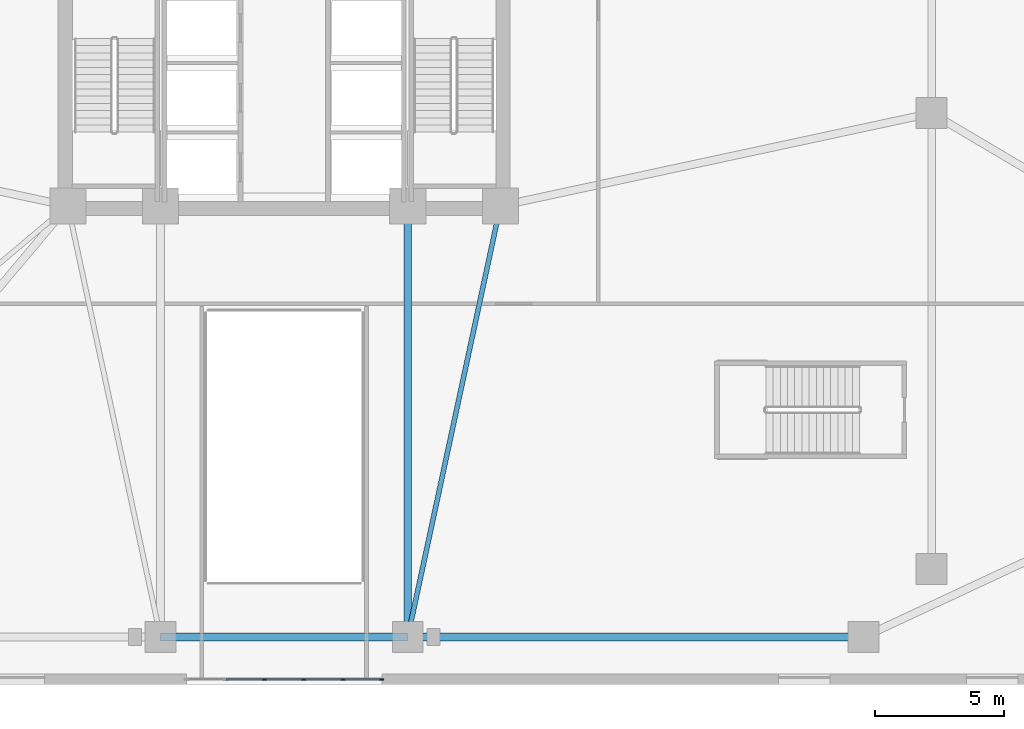
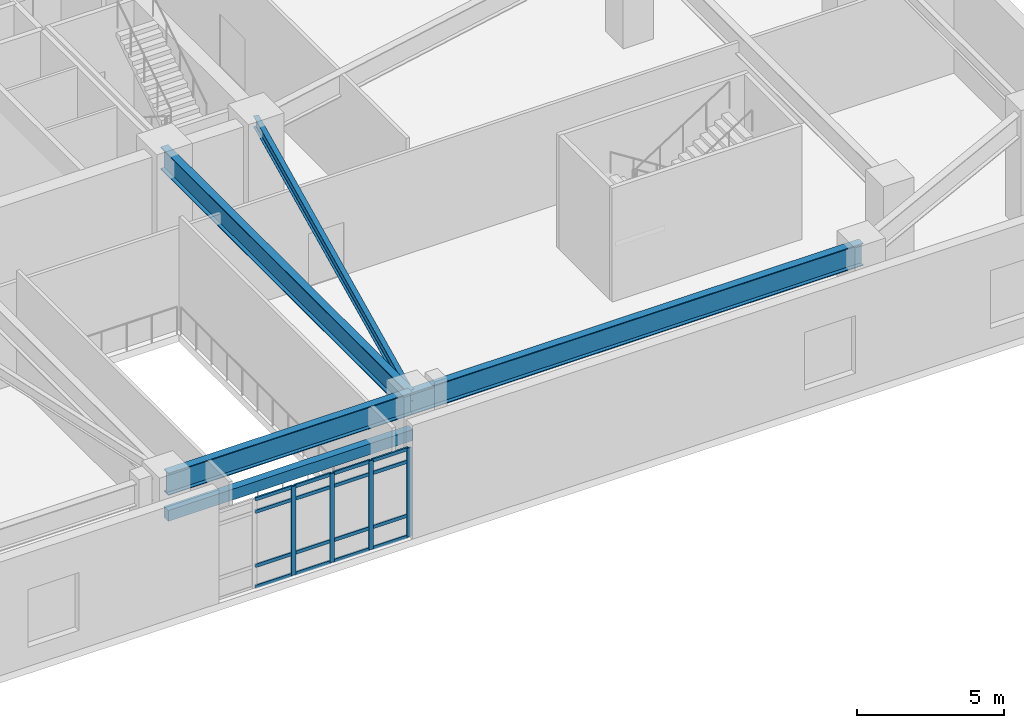
# One storey, part 4 of 20: 20 members, 5 beams, 1 element without a shape of its own.
"""IFC4 building model written with IfcOpenShell, lengths in metres."""

import ifcopenshell
import ifcopenshell.guid

model = None  # the IFC model being written
_history = None  # IfcOwnerHistory: only IFC2X3 demands one
_inside = {}  # id of a spatial element -> (the spatial element, [elements in it])
_under = {}  # id of a project, library or spatial element -> (it, [spatial elements below it])
_declared = {}  # id of a project -> (the project, [libraries it declares])
_typed = {}  # id of a type object -> (the type object, [elements of that type])
_made_of = {}  # id of a material, layer set ... -> (it, [elements and type objects made of it])


def new_model(schema):
    """Start an empty IFC model of exactly this schema.

    Asked for "IFC4X3", IfcOpenShell would pick the latest addendum, in which some entities
    have other attributes; the version numbers below select the first issue.
    IFC2X3 requires an IfcOwnerHistory on every rooted entity: one is made here for all.
    """
    global model, _history
    if schema == "IFC4X3":
        model = ifcopenshell.file(schema_version=(4, 3, 0, 0))
    else:
        model = ifcopenshell.file(schema=schema)
    _inside.clear()
    _under.clear()
    _declared.clear()
    _typed.clear()
    _made_of.clear()
    _history = None
    if model.schema == "IFC2X3":
        org = make("IfcOrganization", Name="unknown")
        user = make(
            "IfcPersonAndOrganization",
            ThePerson=make("IfcPerson", FamilyName="unknown"),
            TheOrganization=org,
        )
        app = make(
            "IfcApplication",
            ApplicationDeveloper=org,
            Version="unknown",
            ApplicationFullName="unknown",
            ApplicationIdentifier="unknown",
        )
        _history = make(
            "IfcOwnerHistory",
            OwningUser=user,
            OwningApplication=app,
            ChangeAction="ADDED",
            CreationDate=0,
        )
    return model


def make(cls, **values):
    """One entity of the class cls with the attributes given. An attribute that is None is left unset."""
    return model.create_entity(
        cls, **{name: value for name, value in values.items() if value is not None}
    )


def rooted(cls, **values):
    """An entity with a GlobalId (a new one), such as an element, a storey or a relation."""
    return make(cls, GlobalId=ifcopenshell.guid.new(), OwnerHistory=_history, **values)


def si_unit(unit_type, name, prefix=None):
    """IfcSIUnit, for example si_unit("LENGTHUNIT", "METRE", prefix="MILLI")."""
    return make("IfcSIUnit", UnitType=unit_type, Prefix=prefix, Name=name)


def assignment(units):
    """IfcUnitAssignment: the units of a project."""
    return None if units is None else make("IfcUnitAssignment", Units=units)


def point(xyz):
    """IfcCartesianPoint."""
    return None if xyz is None else make("IfcCartesianPoint", Coordinates=xyz)


def direction(xyz):
    """IfcDirection."""
    return None if xyz is None else make("IfcDirection", DirectionRatios=xyz)


def frame(location, z_axis=None, x_axis=None):
    """IfcAxis2Placement3D, a coordinate frame: its origin and axes. An axis left out is left unset."""
    return make(
        "IfcAxis2Placement3D",
        Location=point(location),
        Axis=direction(z_axis),
        RefDirection=direction(x_axis),
    )


def frame_2d(location, x_axis=None):
    """IfcAxis2Placement2D, a coordinate frame in the plane: its origin and x axis."""
    return make(
        "IfcAxis2Placement2D", Location=point(location), RefDirection=direction(x_axis)
    )


def origin():
    """The frame at (0, 0, 0) with its axes left unset."""
    return frame((0.0, 0.0, 0.0))


def origin_2d():
    """The frame at (0, 0) in the plane with its x axis left unset."""
    return frame_2d((0.0, 0.0))


def place(relative_to, where):
    """IfcLocalPlacement: puts the frame where relative to a parent placement (None: the world)."""
    return make(
        "IfcLocalPlacement", PlacementRelTo=relative_to, RelativePlacement=where
    )


def context(
    kind, dimensions, precision=None, world=None, true_north=None, identifier=None
):
    """IfcGeometricRepresentationContext, for example the 3D "Model" context."""
    return make(
        "IfcGeometricRepresentationContext",
        ContextIdentifier=identifier,
        ContextType=kind,
        CoordinateSpaceDimension=dimensions,
        Precision=precision,
        WorldCoordinateSystem=world,
        TrueNorth=true_north,
    )


def subcontext(parent, identifier, kind, view, scale=None):
    """IfcGeometricRepresentationSubContext, for example "Body" below "Model"."""
    return make(
        "IfcGeometricRepresentationSubContext",
        ContextIdentifier=identifier,
        ContextType=kind,
        ParentContext=parent,
        TargetScale=scale,
        TargetView=view,
    )


def project(units=None, contexts=None):
    """IfcProject with its units and contexts."""
    return rooted(
        "IfcProject",
        Name="project",
        RepresentationContexts=contexts,
        UnitsInContext=assignment(units),
    )


def spatial(cls, under=None, at=None, **own):
    """A site, building, storey or space (cls), placed at a placement, below another one or the project."""
    s = rooted(cls, ObjectPlacement=at, **own)
    if under is not None:
        _under.setdefault(under.id(), (under, []))[1].append(s)
    return s


def profile(cls, at=None, kind="AREA", **sizes):
    """A parametric profile (cls). Its sizes go by their IFC names, for example OverallWidth=200.0."""
    return make(cls, ProfileType=kind, Position=at, **sizes)


def rectangle(**sizes):
    """IfcRectangleProfileDef."""
    return profile("IfcRectangleProfileDef", **sizes)


def i_section(**sizes):
    """IfcIShapeProfileDef."""
    return profile("IfcIShapeProfileDef", **sizes)


def extrude(swept, where, along, depth):
    """IfcExtrudedAreaSolid: the profile swept, set in the frame where, extruded along a direction by depth."""
    return make(
        "IfcExtrudedAreaSolid",
        SweptArea=swept,
        Position=where,
        ExtrudedDirection=direction(along),
        Depth=depth,
    )


def shape(context_of_items, identifier, shape_type, items):
    """IfcShapeRepresentation: the items that make up one representation, for example the "Body"."""
    return make(
        "IfcShapeRepresentation",
        ContextOfItems=context_of_items,
        RepresentationIdentifier=identifier,
        RepresentationType=shape_type,
        Items=items,
    )


def material(Name=None, Category=None):
    """IfcMaterial."""
    return make("IfcMaterial", Name=Name, Category=Category)


def layer(
    of_material, thickness, ventilated=None, Name=None, Category=None, Priority=None
):
    """IfcMaterialLayer: one layer of a wall or slab, of a material (None: an air gap)."""
    return make(
        "IfcMaterialLayer",
        Material=of_material,
        LayerThickness=thickness,
        IsVentilated=ventilated,
        Name=Name,
        Category=Category,
        Priority=Priority,
    )


def layer_set(layers, Name=None):
    """IfcMaterialLayerSet."""
    return make("IfcMaterialLayerSet", MaterialLayers=layers, LayerSetName=Name)


def material_profile(
    of_material, cross_section, Name=None, Category=None, Priority=None
):
    """IfcMaterialProfile: a cross section and its material."""
    return make(
        "IfcMaterialProfile",
        Name=Name,
        Material=of_material,
        Profile=cross_section,
        Priority=Priority,
        Category=Category,
    )


def profile_set(profiles, Name=None, composite=None):
    """IfcMaterialProfileSet."""
    return make(
        "IfcMaterialProfileSet",
        Name=Name,
        MaterialProfiles=profiles,
        CompositeProfile=composite,
    )


def made_of(thing, what):
    """Note that an element or type object is made of a material, layer set ...; save() writes the relation."""
    if what is not None:
        _made_of.setdefault(what.id(), (what, []))[1].append(thing)
    return thing


def type_object(cls, material=None, **own):
    """A type object (cls), such as IfcWallType, which elements share."""
    return made_of(rooted(cls, **own), material)


def element(
    cls,
    number,
    at=None,
    inside=None,
    cuts=None,
    type_object=None,
    material=None,
    context=None,
    identifier="Body",
    shape_type=None,
    held_by="IfcProductDefinitionShape",
    body=None,
    shapes=None,
    **own,
):
    """One element of the class cls, such as IfcWall. Its Tag is "e" and its number.

    at: its placement. inside: the storey or other place that contains it. cuts: it is an
    opening in that element (IfcRelVoidsElement). A single representation is given by context,
    identifier, shape_type and body (its items); several are given by shapes. held_by: the class
    of the entity that holds the representations. save() writes the other relations.
    """
    e = rooted(cls, Tag="e%d" % number, ObjectPlacement=at, **own)
    if body is not None:
        shapes = [shape(context, identifier, shape_type, body)]
    if shapes is not None:
        e.Representation = make(held_by, Representations=shapes)
    if inside is not None:
        _inside.setdefault(inside.id(), (inside, []))[1].append(e)
    if cuts is not None:
        rooted(
            "IfcRelVoidsElement", RelatingBuildingElement=cuts, RelatedOpeningElement=e
        )
    if type_object is not None:
        _typed.setdefault(type_object.id(), (type_object, []))[1].append(e)
    return made_of(e, material)


def aggregate(whole, parts):
    """IfcRelAggregates: a whole, such as a stair, and the parts it consists of."""
    return rooted("IfcRelAggregates", RelatingObject=whole, RelatedObjects=parts)


def save(model, path):
    """Write the relations noted so far, then the file.

    IfcRelAggregates (storeys below a building ...), IfcRelContainedInSpatialStructure (elements
    in a storey), IfcRelDefinesByType, IfcRelAssociatesMaterial and IfcRelDeclares: one each for
    every whole, place, type object, material and project.
    """
    for whole, parts in _under.values():
        aggregate(whole, parts)
    for where, things in _inside.values():
        rooted(
            "IfcRelContainedInSpatialStructure",
            RelatedElements=things,
            RelatingStructure=where,
        )
    for kind, things in _typed.values():
        rooted("IfcRelDefinesByType", RelatedObjects=things, RelatingType=kind)
    for what, things in _made_of.values():
        rooted("IfcRelAssociatesMaterial", RelatedObjects=things, RelatingMaterial=what)
    for by, libraries in _declared.values():
        rooted("IfcRelDeclares", RelatingContext=by, RelatedDefinitions=libraries)
    model.write(path)


model = new_model("IFC4")

# Units and contexts
model_context = context("Model", 3, precision=1e-05, world=origin(), true_north=direction((0.0, 1.0)))
body_context = subcontext(model_context, "Body", "Model", "MODEL_VIEW")
ifc_project = project(units=[si_unit("LENGTHUNIT", "METRE"), si_unit("AREAUNIT", "SQUARE_METRE"), si_unit("VOLUMEUNIT", "CUBIC_METRE"), si_unit("PLANEANGLEUNIT", "RADIAN"), si_unit("MASSUNIT", "GRAM", prefix="KILO")], contexts=[model_context])

# Site, building, storey
site_placement = place(None, origin())
site = spatial("IfcSite", under=ifc_project, at=site_placement, CompositionType="ELEMENT")
building_placement = place(site_placement, origin())
building = spatial("IfcBuilding", under=site, at=building_placement, Name="Cairnveth Concourse Tower", CompositionType="ELEMENT")
storey_placement = place(building_placement, frame((0.0, 0.0, 5.0)))
storey = spatial("IfcBuildingStorey", under=building, at=storey_placement, Name="L01", CompositionType="ELEMENT", Elevation=5.0)

# Curtain wall, members
ifc_material_1 = material(Name="Architectural Bronze Anodised Aluminium 6063-T6", Category="aluminium")
ifc_layer = layer(ifc_material_1, 0.360107421875)
ifc_layer_set = layer_set([ifc_layer], Name="Architectural Bronze Anodised Aluminium 6063-T6")
curtain_wall_type = type_object("IfcCurtainWallType", Name="CONCOURSE GALLERIA PORTAL CURTAIN WALL", PredefinedType="USERDEFINED", material=ifc_layer_set)
curtain_wall_placement = place(storey_placement, origin())
curtain_wall = element("IfcCurtainWall", 1, at=curtain_wall_placement, inside=storey, type_object=curtain_wall_type, Name="Curtain Wall CW-L01-S1", ObjectType="UNITISED FACADE", PredefinedType="USERDEFINED")
ifc_material_profile_1 = material_profile(ifc_material_1, rectangle(XDim=0.06494140625, YDim=0.179931640625, at=origin_2d()), Name="AL-MUL-65x180")
ifc_profile_set_1 = profile_set([ifc_material_profile_1], Name="Architectural Bronze Anodised Aluminium 6063-T6")
member_type_1 = type_object("IfcMemberType", Name="BRONZE CURTAIN WALL MULLION AL-MUL-65x180", PredefinedType="MULLION", material=ifc_profile_set_1)
member_1_placement = place(storey_placement, frame((55.782470703125, 12.2099609375, 0.0), z_axis=(0.0, 0.0, 1.0), x_axis=(0.0, -1.0, 0.0)))
member_1 = element("IfcMember", 2, at=member_1_placement, type_object=member_type_1, Name="CWS1 mullion 1", PredefinedType="MULLION", context=body_context, shape_type="SweptSolid", body=[
    extrude(rectangle(XDim=0.06494140625, YDim=0.179931640625, at=origin_2d()), origin(), (0.0, 0.0, 1.0), 3.696044921875),
])
member_2_placement = place(storey_placement, frame((54.2890625, 12.2099609375, 0.0), z_axis=(0.0, 0.0, 1.0), x_axis=(0.0, -1.0, 0.0)))
member_2 = element("IfcMember", 3, at=member_2_placement, type_object=member_type_1, Name="CWS1 mullion 2", PredefinedType="MULLION", context=body_context, shape_type="SweptSolid", body=[
    extrude(rectangle(XDim=0.06494140625, YDim=0.179931640625, at=origin_2d()), origin(), (0.0, 0.0, 1.0), 3.696044921875),
])
member_3_placement = place(storey_placement, frame((52.762939453125, 12.2099609375, 0.0), z_axis=(0.0, 0.0, 1.0), x_axis=(0.0, -1.0, 0.0)))
member_3 = element("IfcMember", 4, at=member_3_placement, type_object=member_type_1, Name="CWS1 mullion 3", PredefinedType="MULLION", context=body_context, shape_type="SweptSolid", body=[
    extrude(rectangle(XDim=0.06494140625, YDim=0.179931640625, at=origin_2d()), origin(), (0.0, 0.0, 1.0), 3.696044921875),
])
member_4_placement = place(storey_placement, frame((51.237060546875, 12.2099609375, 0.0), z_axis=(0.0, 0.0, 1.0), x_axis=(0.0, -1.0, 0.0)))
member_4 = element("IfcMember", 5, at=member_4_placement, type_object=member_type_1, Name="CWS1 mullion 4", PredefinedType="MULLION", context=body_context, shape_type="SweptSolid", body=[
    extrude(rectangle(XDim=0.06494140625, YDim=0.179931640625, at=origin_2d()), origin(), (0.0, 0.0, 1.0), 3.696044921875),
])
ifc_material_profile_2 = material_profile(ifc_material_1, rectangle(XDim=0.06494140625, YDim=0.139892578125, at=origin_2d()), Name="AL-TRN-65x140")
ifc_profile_set_2 = profile_set([ifc_material_profile_2], Name="Architectural Bronze Anodised Aluminium 6063-T6")
member_type_2 = type_object("IfcMemberType", Name="BRONZE CURTAIN WALL TRANSOM AL-TRN-65x140", PredefinedType="USERDEFINED", material=ifc_profile_set_2)
member_5_placement = place(storey_placement, frame((55.75, 12.2099609375, 0.032470703125), z_axis=(-1.0, 0.0, 0.0), x_axis=(0.0, -1.0, 0.0)))
member_5 = element("IfcMember", 6, at=member_5_placement, type_object=member_type_2, Name="CWS1 transom 1.1", ObjectType="TRANSOM", PredefinedType="USERDEFINED", context=body_context, shape_type="SweptSolid", body=[
    extrude(rectangle(XDim=0.06494140625, YDim=0.139892578125, at=origin_2d()), origin(), (0.0, 0.0, 1.0), 1.428466796875),
])
member_6_placement = place(storey_placement, frame((55.75, 12.2099609375, 0.89990234375), z_axis=(-1.0, 0.0, 0.0), x_axis=(0.0, -1.0, 0.0)))
member_6 = element("IfcMember", 7, at=member_6_placement, type_object=member_type_2, Name="CWS1 transom 1.2", ObjectType="TRANSOM", PredefinedType="USERDEFINED", context=body_context, shape_type="SweptSolid", body=[
    extrude(rectangle(XDim=0.06494140625, YDim=0.139892578125, at=origin_2d()), origin(), (0.0, 0.0, 1.0), 1.428466796875),
])
member_7_placement = place(storey_placement, frame((55.75, 12.2099609375, 3.14599609375), z_axis=(-1.0, 0.0, 0.0), x_axis=(0.0, -1.0, 0.0)))
member_7 = element("IfcMember", 8, at=member_7_placement, type_object=member_type_2, Name="CWS1 transom 1.3", ObjectType="TRANSOM", PredefinedType="USERDEFINED", context=body_context, shape_type="SweptSolid", body=[
    extrude(rectangle(XDim=0.06494140625, YDim=0.139892578125, at=origin_2d()), origin(), (0.0, 0.0, 1.0), 1.428466796875),
])
member_8_placement = place(storey_placement, frame((55.75, 12.2099609375, 3.66357421875), z_axis=(-1.0, 0.0, 0.0), x_axis=(0.0, -1.0, 0.0)))
member_8 = element("IfcMember", 9, at=member_8_placement, type_object=member_type_2, Name="CWS1 transom 1.4", ObjectType="TRANSOM", PredefinedType="USERDEFINED", context=body_context, shape_type="SweptSolid", body=[
    extrude(rectangle(XDim=0.06494140625, YDim=0.139892578125, at=origin_2d()), origin(), (0.0, 0.0, 1.0), 1.428466796875),
])
member_9_placement = place(storey_placement, frame((54.256591796875, 12.2099609375, 0.032470703125), z_axis=(-1.0, 0.0, 0.0), x_axis=(0.0, -1.0, 0.0)))
member_9 = element("IfcMember", 10, at=member_9_placement, type_object=member_type_2, Name="CWS1 transom 2.1", ObjectType="TRANSOM", PredefinedType="USERDEFINED", context=body_context, shape_type="SweptSolid", body=[
    extrude(rectangle(XDim=0.06494140625, YDim=0.139892578125, at=origin_2d()), origin(), (0.0, 0.0, 1.0), 1.461181640625),
])
member_10_placement = place(storey_placement, frame((54.256591796875, 12.2099609375, 0.89990234375), z_axis=(-1.0, 0.0, 0.0), x_axis=(0.0, -1.0, 0.0)))
member_10 = element("IfcMember", 11, at=member_10_placement, type_object=member_type_2, Name="CWS1 transom 2.2", ObjectType="TRANSOM", PredefinedType="USERDEFINED", context=body_context, shape_type="SweptSolid", body=[
    extrude(rectangle(XDim=0.06494140625, YDim=0.139892578125, at=origin_2d()), origin(), (0.0, 0.0, 1.0), 1.461181640625),
])
member_11_placement = place(storey_placement, frame((54.256591796875, 12.2099609375, 3.14599609375), z_axis=(-1.0, 0.0, 0.0), x_axis=(0.0, -1.0, 0.0)))
member_11 = element("IfcMember", 12, at=member_11_placement, type_object=member_type_2, Name="CWS1 transom 2.3", ObjectType="TRANSOM", PredefinedType="USERDEFINED", context=body_context, shape_type="SweptSolid", body=[
    extrude(rectangle(XDim=0.06494140625, YDim=0.139892578125, at=origin_2d()), origin(), (0.0, 0.0, 1.0), 1.461181640625),
])
member_12_placement = place(storey_placement, frame((54.256591796875, 12.2099609375, 3.66357421875), z_axis=(-1.0, 0.0, 0.0), x_axis=(0.0, -1.0, 0.0)))
member_12 = element("IfcMember", 13, at=member_12_placement, type_object=member_type_2, Name="CWS1 transom 2.4", ObjectType="TRANSOM", PredefinedType="USERDEFINED", context=body_context, shape_type="SweptSolid", body=[
    extrude(rectangle(XDim=0.06494140625, YDim=0.139892578125, at=origin_2d()), origin(), (0.0, 0.0, 1.0), 1.461181640625),
])
member_13_placement = place(storey_placement, frame((52.73046875, 12.2099609375, 0.032470703125), z_axis=(-1.0, 0.0, 0.0), x_axis=(0.0, -1.0, 0.0)))
member_13 = element("IfcMember", 14, at=member_13_placement, type_object=member_type_2, Name="CWS1 transom 3.1", ObjectType="TRANSOM", PredefinedType="USERDEFINED", context=body_context, shape_type="SweptSolid", body=[
    extrude(rectangle(XDim=0.06494140625, YDim=0.139892578125, at=origin_2d()), origin(), (0.0, 0.0, 1.0), 1.4609375),
])
member_14_placement = place(storey_placement, frame((52.73046875, 12.2099609375, 0.89990234375), z_axis=(-1.0, 0.0, 0.0), x_axis=(0.0, -1.0, 0.0)))
member_14 = element("IfcMember", 15, at=member_14_placement, type_object=member_type_2, Name="CWS1 transom 3.2", ObjectType="TRANSOM", PredefinedType="USERDEFINED", context=body_context, shape_type="SweptSolid", body=[
    extrude(rectangle(XDim=0.06494140625, YDim=0.139892578125, at=origin_2d()), origin(), (0.0, 0.0, 1.0), 1.4609375),
])
member_15_placement = place(storey_placement, frame((52.73046875, 12.2099609375, 3.14599609375), z_axis=(-1.0, 0.0, 0.0), x_axis=(0.0, -1.0, 0.0)))
member_15 = element("IfcMember", 16, at=member_15_placement, type_object=member_type_2, Name="CWS1 transom 3.3", ObjectType="TRANSOM", PredefinedType="USERDEFINED", context=body_context, shape_type="SweptSolid", body=[
    extrude(rectangle(XDim=0.06494140625, YDim=0.139892578125, at=origin_2d()), origin(), (0.0, 0.0, 1.0), 1.4609375),
])
member_16_placement = place(storey_placement, frame((52.73046875, 12.2099609375, 3.66357421875), z_axis=(-1.0, 0.0, 0.0), x_axis=(0.0, -1.0, 0.0)))
member_16 = element("IfcMember", 17, at=member_16_placement, type_object=member_type_2, Name="CWS1 transom 3.4", ObjectType="TRANSOM", PredefinedType="USERDEFINED", context=body_context, shape_type="SweptSolid", body=[
    extrude(rectangle(XDim=0.06494140625, YDim=0.139892578125, at=origin_2d()), origin(), (0.0, 0.0, 1.0), 1.4609375),
])
member_17_placement = place(storey_placement, frame((51.20458984375, 12.2099609375, 0.032470703125), z_axis=(-1.0, 0.0, 0.0), x_axis=(0.0, -1.0, 0.0)))
member_17 = element("IfcMember", 18, at=member_17_placement, type_object=member_type_2, Name="CWS1 transom 4.1", ObjectType="TRANSOM", PredefinedType="USERDEFINED", context=body_context, shape_type="SweptSolid", body=[
    extrude(rectangle(XDim=0.06494140625, YDim=0.139892578125, at=origin_2d()), origin(), (0.0, 0.0, 1.0), 1.461181640625),
])
member_18_placement = place(storey_placement, frame((51.20458984375, 12.2099609375, 0.89990234375), z_axis=(-1.0, 0.0, 0.0), x_axis=(0.0, -1.0, 0.0)))
member_18 = element("IfcMember", 19, at=member_18_placement, type_object=member_type_2, Name="CWS1 transom 4.2", ObjectType="TRANSOM", PredefinedType="USERDEFINED", context=body_context, shape_type="SweptSolid", body=[
    extrude(rectangle(XDim=0.06494140625, YDim=0.139892578125, at=origin_2d()), origin(), (0.0, 0.0, 1.0), 1.461181640625),
])
member_19_placement = place(storey_placement, frame((51.20458984375, 12.2099609375, 3.14599609375), z_axis=(-1.0, 0.0, 0.0), x_axis=(0.0, -1.0, 0.0)))
member_19 = element("IfcMember", 20, at=member_19_placement, type_object=member_type_2, Name="CWS1 transom 4.3", ObjectType="TRANSOM", PredefinedType="USERDEFINED", context=body_context, shape_type="SweptSolid", body=[
    extrude(rectangle(XDim=0.06494140625, YDim=0.139892578125, at=origin_2d()), origin(), (0.0, 0.0, 1.0), 1.461181640625),
])
member_20_placement = place(storey_placement, frame((51.20458984375, 12.2099609375, 3.66357421875), z_axis=(-1.0, 0.0, 0.0), x_axis=(0.0, -1.0, 0.0)))
member_20 = element("IfcMember", 21, at=member_20_placement, type_object=member_type_2, Name="CWS1 transom 4.4", ObjectType="TRANSOM", PredefinedType="USERDEFINED", context=body_context, shape_type="SweptSolid", body=[
    extrude(rectangle(XDim=0.06494140625, YDim=0.139892578125, at=origin_2d()), origin(), (0.0, 0.0, 1.0), 1.461181640625),
])
aggregate(curtain_wall, [member_1, member_2, member_3, member_4, member_5, member_6, member_7, member_8, member_9, member_10, member_11, member_12, member_13, member_14, member_15, member_16, member_17, member_18, member_19, member_20])

# Beams
ifc_material_2 = material(Name="Precast concrete N50 (50 MPa)", Category="concrete")
ifc_material_profile_3 = material_profile(ifc_material_2, rectangle(XDim=0.300048828125, YDim=0.449951171875, at=origin_2d()), Name="RC-LNT-300x450")
ifc_profile_set_3 = profile_set([ifc_material_profile_3], Name="Precast concrete N50 (50 MPa)")
beam_type_1 = type_object("IfcBeamType", Name="CONCOURSE MASONRY LINTEL 300X450", PredefinedType="LINTEL", material=ifc_profile_set_3)
beam_1_placement = place(storey_placement, frame((47.199951171875, 13.85009765625, 2.949951171875), z_axis=(1.0, 0.0, 0.0), x_axis=(0.0, 1.0, 0.0)))
element("IfcBeam", 22, at=beam_1_placement, inside=storey, type_object=beam_type_1, Name="Concourse Portal Lintel 1 L01", PredefinedType="LINTEL", context=body_context, shape_type="SweptSolid", body=[
    extrude(rectangle(XDim=0.300048828125, YDim=0.449951171875, at=origin_2d()), origin(), (0.0, 0.0, 1.0), 9.60009765625),
])
ifc_material_3 = material(Name="Steel Grade 350", Category="steel")
ifc_material_profile_4 = material_profile(ifc_material_3, i_section(OverallWidth=0.18994140625, OverallDepth=0.45703125, WebThickness=0.009033203125, FlangeThickness=0.014404296875, FilletRadius=0.010986328125, at=origin_2d()), Name="460UB74.6")
ifc_profile_set_4 = profile_set([ifc_material_profile_4], Name="Steel Grade 350")
beam_type_2 = type_object("IfcBeamType", Name="PODIUM FLOOR JOIST 460UB74.6", PredefinedType="JOIST", material=ifc_profile_set_4)
beam_2_placement = place(storey_placement, frame((60.39990234375, 30.60009765625, 4.491455078125), z_axis=(-0.210118799239, -0.977675861524, 0.0), x_axis=(0.977675861524, -0.210118799239, 0.0)))
element("IfcBeam", 23, at=beam_2_placement, inside=storey, type_object=beam_type_2, Name="Beam PJ-S-X2 L01", PredefinedType="JOIST", context=body_context, shape_type="SweptSolid", body=[
    extrude(i_section(OverallWidth=0.18994140625, OverallDepth=0.45703125, WebThickness=0.009033203125, FlangeThickness=0.014404296875, FilletRadius=0.010986328125, at=origin_2d()), origin(), (0.0, 0.0, 1.0), 17.132568359375),
])
ifc_material_profile_5 = material_profile(ifc_material_3, i_section(OverallWidth=0.300048828125, OverallDepth=0.924072265625, WebThickness=0.013916015625, FlangeThickness=0.031982421875, at=origin_2d()), Name="900WB257")
ifc_profile_set_5 = profile_set([ifc_material_profile_5], Name="Steel Grade 350")
beam_type_3 = type_object("IfcBeamType", Name="PODIUM PRIMARY GIRDER 900WB257", PredefinedType="BEAM", material=ifc_profile_set_5)
beam_3_placement = place(storey_placement, frame((56.800048828125, 13.85009765625, 4.258056640625), z_axis=(0.0, 1.0, 0.0), x_axis=(-1.0, 0.0, 0.0)))
element("IfcBeam", 24, at=beam_3_placement, inside=storey, type_object=beam_type_3, Name="Beam PG-S2 L01", PredefinedType="BEAM", context=body_context, shape_type="SweptSolid", body=[
    extrude(i_section(OverallWidth=0.300048828125, OverallDepth=0.924072265625, WebThickness=0.013916015625, FlangeThickness=0.031982421875, at=origin_2d()), origin(), (0.0, 0.0, 1.0), 16.75),
])
beam_4_placement = place(storey_placement, frame((47.199951171875, 13.85009765625, 4.258056640625), z_axis=(1.0, 0.0, 0.0), x_axis=(0.0, 1.0, 0.0)))
element("IfcBeam", 25, at=beam_4_placement, inside=storey, type_object=beam_type_3, Name="Beam PR-S2 L01", PredefinedType="BEAM", context=body_context, shape_type="SweptSolid", body=[
    extrude(i_section(OverallWidth=0.300048828125, OverallDepth=0.924072265625, WebThickness=0.013916015625, FlangeThickness=0.031982421875, at=origin_2d()), origin(), (0.0, 0.0, 1.0), 9.60009765625),
])
beam_5_placement = place(storey_placement, frame((56.800048828125, 13.85009765625, 4.258056640625), z_axis=(1.0, 0.0, 0.0), x_axis=(0.0, 1.0, 0.0)))
element("IfcBeam", 26, at=beam_5_placement, inside=storey, type_object=beam_type_3, Name="Beam PR-S3 L01", PredefinedType="BEAM", context=body_context, shape_type="SweptSolid", body=[
    extrude(i_section(OverallWidth=0.300048828125, OverallDepth=0.924072265625, WebThickness=0.013916015625, FlangeThickness=0.031982421875, at=origin_2d()), origin(), (0.0, 0.0, 1.0), 17.699951171875),
])

save(model, "model.ifc")
